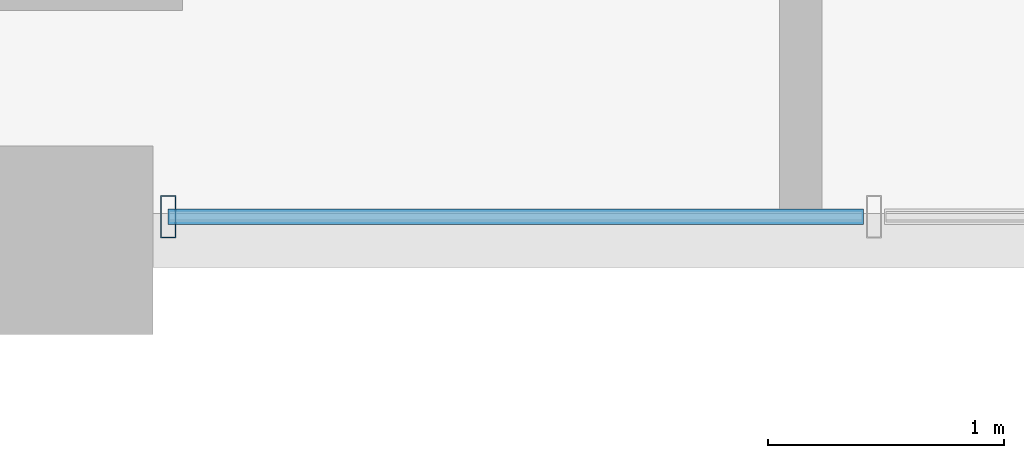
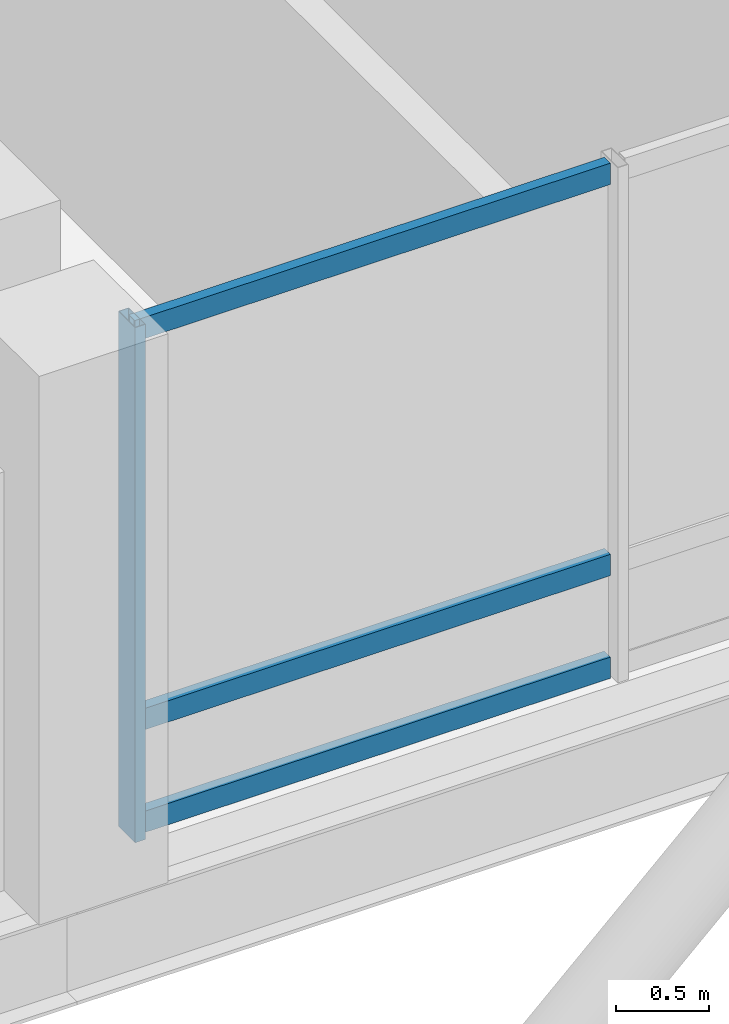
# One storey, part 2 of 24: 4 members, 1 element without a shape of its own.
"""IFC4 building model written with IfcOpenShell, lengths in metres."""

from ifc_helpers import new_model, si_unit, direction, frame, origin, origin_2d, place, context, subcontext, project, spatial, hollow_rectangle, extrude, material, layer, layer_set, material_profile, profile_set, type_object, element, aggregate, save


model = new_model("IFC4")

# Units and contexts
model_context = context("Model", 3, precision=1e-05, world=origin(), true_north=direction((0.0, 1.0)))
body_context = subcontext(model_context, "Body", "Model", "MODEL_VIEW")
ifc_project = project(units=[si_unit("LENGTHUNIT", "METRE"), si_unit("AREAUNIT", "SQUARE_METRE"), si_unit("VOLUMEUNIT", "CUBIC_METRE"), si_unit("PLANEANGLEUNIT", "RADIAN"), si_unit("MASSUNIT", "GRAM", prefix="KILO")], contexts=[model_context])

# Site, building, storey
site_placement = place(None, origin())
site = spatial("IfcSite", under=ifc_project, at=site_placement, CompositionType="ELEMENT")
building_placement = place(site_placement, origin())
building = spatial("IfcBuilding", under=site, at=building_placement, Name="Barlavira Tower and Art Museum", CompositionType="ELEMENT")
storey_placement = place(building_placement, frame((0.0, 0.0, 172.800048828125)))
storey = spatial("IfcBuildingStorey", under=building, at=storey_placement, Name="L44", CompositionType="ELEMENT", Elevation=172.800048828125)

# Curtain wall, members
ifc_material_1 = material(Name="Low-iron coastal laminated glass", Category="glass")
ifc_layer = layer(ifc_material_1, 0.199951171875, Name="Low-iron coastal laminated glass")
ifc_layer_set = layer_set([ifc_layer], Name="Low-iron coastal laminated glass")
curtain_wall_type = type_object("IfcCurtainWallType", Name="Pale-Metal Unitised Curtain Wall Zone 3", PredefinedType="NOTDEFINED", material=ifc_layer_set)
curtain_wall_placement = place(storey_placement, origin())
curtain_wall = element("IfcCurtainWall", 1, at=curtain_wall_placement, inside=storey, type_object=curtain_wall_type, Name="L44 Curtain Wall CW3-L44-S-B3", PredefinedType="NOTDEFINED")
ifc_material_2 = material(Name="Pale anodised aluminium", Category="aluminium")
ifc_material_profile_1 = material_profile(ifc_material_2, hollow_rectangle(XDim=0.06494140625, YDim=0.179931640625, WallThickness=0.00390625, at=origin_2d()), Name="ALU-MULL 65x180x4")
ifc_profile_set_1 = profile_set([ifc_material_profile_1], Name="Pale anodised aluminium")
member_type_1 = type_object("IfcMemberType", Name="Curtain Wall Pale-Metal Mullion 65x180", PredefinedType="MULLION", material=ifc_profile_set_1)
member_1_placement = place(storey_placement, frame((-6.034912109375, -21.39990234375, 0.0), z_axis=(0.0, 0.0, 1.0), x_axis=(1.0, 0.0, 0.0)))
member_1 = element("IfcMember", 2, at=member_1_placement, type_object=member_type_1, Name="CW3-L44-S-B3 Mullion 0", PredefinedType="MULLION", context=body_context, shape_type="SweptSolid", body=[
    extrude(hollow_rectangle(XDim=0.06494140625, YDim=0.179931640625, WallThickness=0.00390625, at=origin_2d()), origin(), (0.0, 0.0, 1.0), 3.3798828125),
])
ifc_material_profile_2 = material_profile(ifc_material_2, hollow_rectangle(XDim=0.06494140625, YDim=0.139892578125, WallThickness=0.00390625, at=origin_2d()), Name="ALU-TRAN 65x140x4")
ifc_profile_set_2 = profile_set([ifc_material_profile_2], Name="Pale anodised aluminium")
member_type_2 = type_object("IfcMemberType", Name="Curtain Wall Pale-Metal Transom 65x140", PredefinedType="USERDEFINED", material=ifc_profile_set_2)
member_2_placement = place(storey_placement, frame((-6.034912109375, -21.39990234375, 0.070068359375), z_axis=(1.0, 0.0, 0.0), x_axis=(0.0, 1.0, 0.0)))
member_2 = element("IfcMember", 3, at=member_2_placement, type_object=member_type_2, Name="CW3-L44-S-B3 Transom 0.1", ObjectType="TRANSOM", PredefinedType="USERDEFINED", context=body_context, shape_type="SweptSolid", body=[
    extrude(hollow_rectangle(XDim=0.06494140625, YDim=0.139892578125, WallThickness=0.00390625, at=origin_2d()), origin(), (0.0, 0.0, 1.0), 2.949951171875),
])
member_3_placement = place(storey_placement, frame((-6.034912109375, -21.39990234375, 0.743896484375), z_axis=(1.0, 0.0, 0.0), x_axis=(0.0, 1.0, 0.0)))
member_3 = element("IfcMember", 4, at=member_3_placement, type_object=member_type_2, Name="CW3-L44-S-B3 Transom 0.2", ObjectType="TRANSOM", PredefinedType="USERDEFINED", context=body_context, shape_type="SweptSolid", body=[
    extrude(hollow_rectangle(XDim=0.06494140625, YDim=0.139892578125, WallThickness=0.00390625, at=origin_2d()), origin(), (0.0, 0.0, 1.0), 2.949951171875),
])
member_4_placement = place(storey_placement, frame((-6.034912109375, -21.39990234375, 3.31005859375), z_axis=(1.0, 0.0, 0.0), x_axis=(0.0, 1.0, 0.0)))
member_4 = element("IfcMember", 5, at=member_4_placement, type_object=member_type_2, Name="CW3-L44-S-B3 Transom 0.3", ObjectType="TRANSOM", PredefinedType="USERDEFINED", context=body_context, shape_type="SweptSolid", body=[
    extrude(hollow_rectangle(XDim=0.06494140625, YDim=0.139892578125, WallThickness=0.00390625, at=origin_2d()), origin(), (0.0, 0.0, 1.0), 2.949951171875),
])
aggregate(curtain_wall, [member_1, member_2, member_3, member_4])

save(model, "model.ifc")
